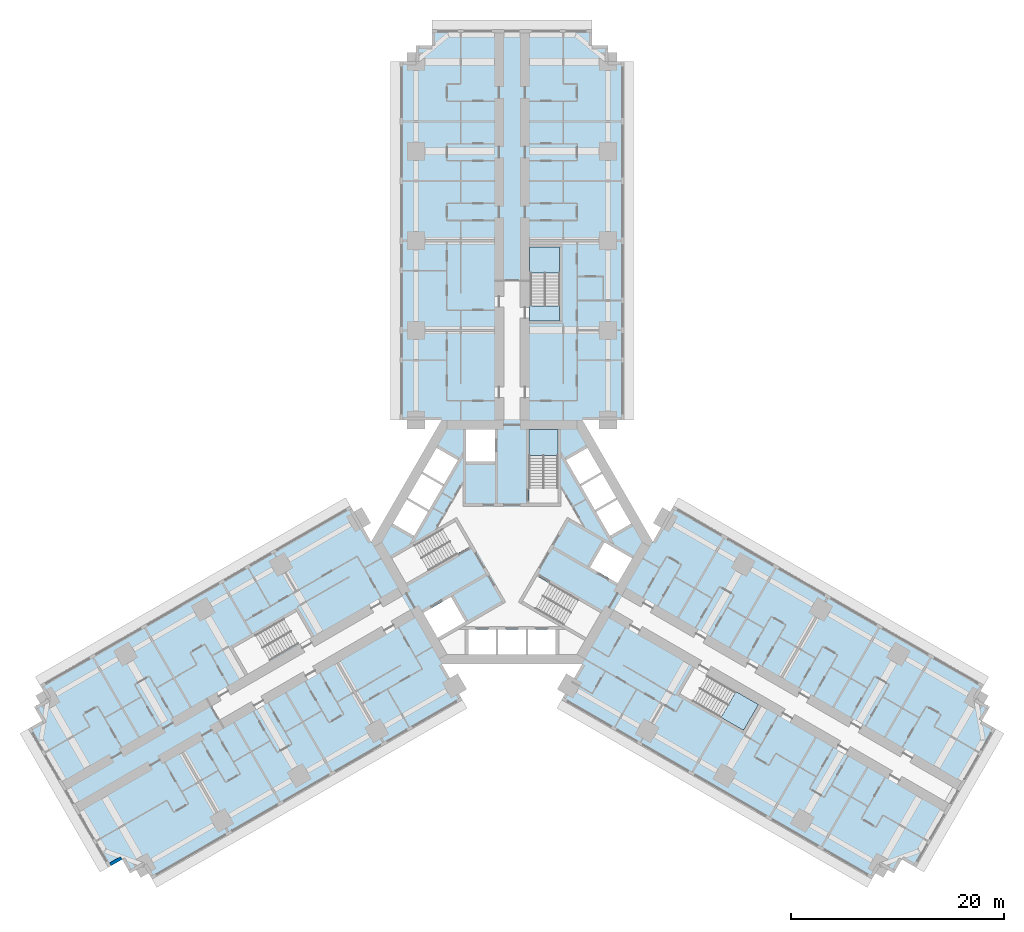
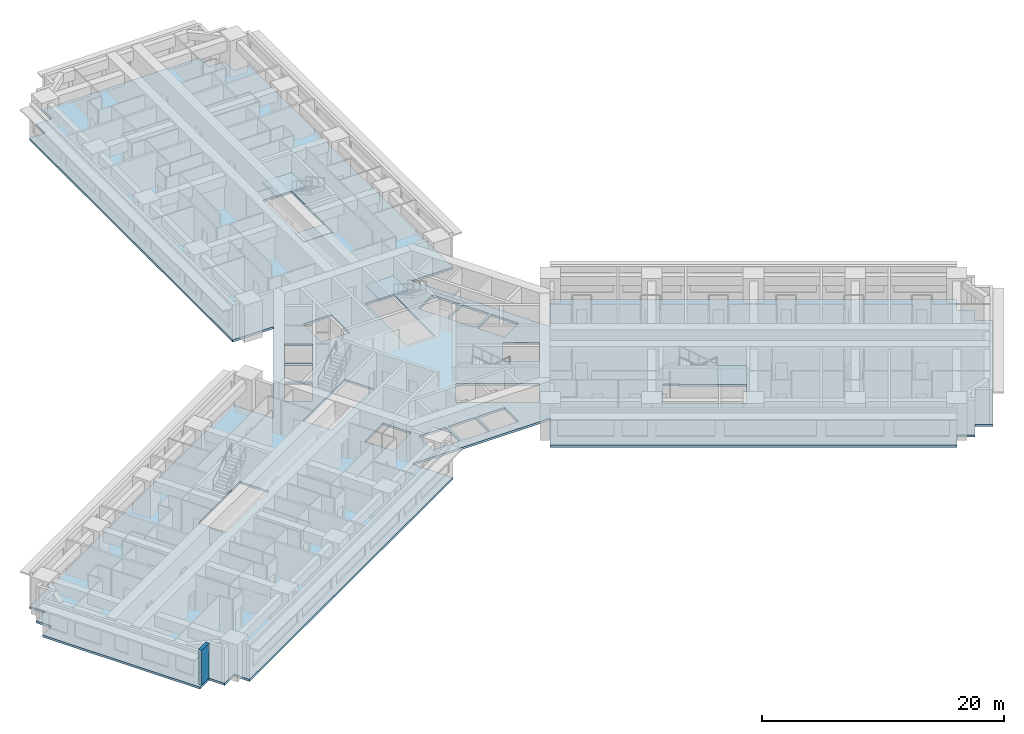
# One storey, part 2 of 16: 5 slabs, 1 wall, 3 elements without a shape of their own.
"""IFC4 building model written with IfcOpenShell, lengths in metres."""

from ifc_helpers import new_model, si_unit, direction, frame, frame_2d, origin, place, context, subcontext, project, spatial, polyline, rectangle, outline, extrude, material, layer, layer_set, type_object, element, aggregate, save


model = new_model("IFC4")

# Units and contexts
model_context = context("Model", 3, precision=1e-05, world=origin(), true_north=direction((0.0, 1.0)))
body_context = subcontext(model_context, "Body", "Model", "MODEL_VIEW")
ifc_project = project(units=[si_unit("LENGTHUNIT", "METRE"), si_unit("AREAUNIT", "SQUARE_METRE"), si_unit("VOLUMEUNIT", "CUBIC_METRE"), si_unit("PLANEANGLEUNIT", "RADIAN"), si_unit("MASSUNIT", "GRAM", prefix="KILO")], contexts=[model_context])

# Site, building, storey
site_placement = place(None, origin())
site = spatial("IfcSite", under=ifc_project, at=site_placement, CompositionType="ELEMENT")
building_placement = place(site_placement, origin())
building = spatial("IfcBuilding", under=site, at=building_placement, Name="Impinga Residences", CompositionType="ELEMENT")
storey_placement = place(building_placement, frame((0.0, 0.0, 41.0)))
storey = spatial("IfcBuildingStorey", under=building, at=storey_placement, Name="L09", CompositionType="ELEMENT", Elevation=41.0)

# Slab
ifc_material_1 = material(Name="Concrete C60/75", Category="concrete")
ifc_layer_1 = layer(ifc_material_1, 0.219970703125)
ifc_layer_set_1 = layer_set([ifc_layer_1], Name="Concrete C60/75")
slab_type_1 = type_object("IfcSlabType", Name="FS1 tower floor slab 220", PredefinedType="FLOOR", material=ifc_layer_set_1)
slab_1_placement = place(storey_placement, frame((0.0, 0.0, -0.219970703125)))
element("IfcSlab", 1, at=slab_1_placement, inside=storey, type_object=slab_type_1, Name="Floor slab FS1 L09", PredefinedType="FLOOR", context=body_context, shape_type="SweptSolid", body=[
    extrude(outline(polyline([(-34.49853515625, -30.31005859375), (-35.797607421875, -31.06005859375), (-36.547607421875, -29.760986328125), (-37.846435546875, -30.510986328125), (-45.346435546875, -17.5205078125), (-44.047607421875, -16.7705078125), (-44.797607421875, -15.471435546875), (-43.49853515625, -14.721435546875), (-44.24853515625, -13.422607421875), (-15.14990234375, 3.37744140625), (-13.199951171875, 0.0), (-6.60009765625, 11.431640625), (-10.5, 11.431640625), (-10.5, 45.031494140625), (-9.0, 45.031494140625), (-9.0, 46.531494140625), (-7.5, 46.531494140625), (-7.5, 48.031494140625), (7.5, 48.031494140625), (7.5, 46.531494140625), (9.0, 46.531494140625), (9.0, 45.031494140625), (10.5, 45.031494140625), (10.5, 11.431640625), (6.60009765625, 11.431640625), (13.199951171875, 0.0), (15.14990234375, 3.37744140625), (44.24853515625, -13.422607421875), (43.49853515625, -14.721435546875), (44.797607421875, -15.471435546875), (44.047607421875, -16.7705078125), (45.346435546875, -17.5205078125), (37.846435546875, -30.510986328125), (36.547607421875, -29.760986328125), (35.797607421875, -31.06005859375), (34.49853515625, -30.31005859375), (33.74853515625, -31.609130859375), (4.64990234375, -14.80908203125), (9.900146484375, -5.7158203125), (6.60009765625, -11.431640625), (-6.60009765625, -11.431640625), (-9.900146484375, -5.7158203125), (-4.64990234375, -14.80908203125), (-33.74853515625, -31.609130859375), (-34.49853515625, -30.31005859375)]), holes=[polyline([(-21.391357421875, -7.2119140625), (-26.154541015625, -9.9619140625), (-24.8046875, -12.30029296875), (-20.04150390625, -9.55029296875), (-19.991455078125, -9.63671875), (-18.779052734375, -8.936767578125), (-18.8291015625, -8.850341796875), (-18.8291015625, -8.850341796875), (-20.178955078125, -6.511962890625), (-21.391357421875, -7.2119140625), (-21.391357421875, -7.2119140625)]), polyline([(-1.5, -8.2314453125), (-4.10009765625, -8.2314453125), (-4.10009765625, -10.531494140625), (-1.5, -10.531494140625), (-1.5, -8.2314453125)]), polyline([(1.300048828125, -8.2314453125), (-1.300048828125, -8.2314453125), (-1.300048828125, -10.531494140625), (1.300048828125, -10.531494140625), (1.300048828125, -8.2314453125)]), polyline([(1.5, -8.2314453125), (1.5, -10.531494140625), (4.10009765625, -10.531494140625), (4.10009765625, -8.2314453125), (1.5, -8.2314453125)]), polyline([(-5.72119140625, -5.150634765625), (-8.320556640625, -6.6513671875), (-6.970458984375, -8.98974609375), (-4.37109375, -7.489013671875), (-5.72119140625, -5.150634765625)]), polyline([(-3.943603515625, -0.429443359375), (-5.293701171875, 1.908935546875), (-11.2705078125, -1.541748046875), (-9.920654296875, -3.880126953125), (-3.943603515625, -0.429443359375)]), polyline([(-9.1787109375, 0.56494140625), (-7.878662109375, 2.816650390625), (-9.87060546875, 3.966796875), (-11.170654296875, 1.715087890625), (-9.1787109375, 0.56494140625)]), polyline([(-6.478759765625, 5.24169921875), (-8.470458984375, 6.3916015625), (-9.7705078125, 4.139892578125), (-7.77880859375, 2.989990234375), (-6.478759765625, 5.24169921875)]), polyline([(-6.378662109375, 5.414794921875), (-5.07861328125, 7.66650390625), (-7.070556640625, 8.81640625), (-8.37060546875, 6.564697265625), (-6.378662109375, 5.414794921875)]), polyline([(-4.300048828125, 7.530029296875), (-1.60009765625, 7.530029296875), (-1.60009765625, 10.531494140625), (-4.300048828125, 10.531494140625), (-4.300048828125, 7.530029296875)]), polyline([(15.72900390625, -14.219482421875), (21.70458984375, -17.669677734375), (23.0546875, -15.331298828125), (18.29150390625, -12.581298828125), (18.341552734375, -12.49462890625), (17.129150390625, -11.794677734375), (15.72900390625, -14.219482421875)]), polyline([(0.99365234375, -5.538818359375), (6.970458984375, -8.98974609375), (8.320556640625, -6.6513671875), (2.34375, -3.20068359375), (0.99365234375, -5.538818359375)]), polyline([(8.671142578125, -0.041015625), (7.3212890625, -2.37939453125), (9.920654296875, -3.880126953125), (11.2705078125, -1.541748046875), (8.671142578125, -0.041015625)]), polyline([(7.878662109375, 2.816650390625), (9.1787109375, 0.56494140625), (11.170654296875, 1.715087890625), (9.87060546875, 3.966796875), (7.878662109375, 2.816650390625)]), polyline([(7.77880859375, 2.989990234375), (9.7705078125, 4.139892578125), (8.470458984375, 6.3916015625), (6.478759765625, 5.24169921875), (7.77880859375, 2.989990234375)]), polyline([(1.60009765625, 3.6298828125), (4.300048828125, 3.6298828125), (4.300048828125, 10.531494140625), (1.60009765625, 10.531494140625), (1.60009765625, 3.6298828125)]), polyline([(5.07861328125, 7.66650390625), (6.378662109375, 5.414794921875), (8.37060546875, 6.564697265625), (7.070556640625, 8.81640625), (5.07861328125, 7.66650390625)]), polyline([(1.75, 22.131591796875), (1.64990234375, 22.131591796875), (1.64990234375, 20.7314453125), (1.75, 20.7314453125), (4.449951171875, 20.7314453125), (4.449951171875, 22.131591796875), (4.449951171875, 27.631591796875), (1.75, 27.631591796875), (1.75, 22.131591796875)])]), origin(), (0.0, 0.0, 1.0), 0.219970703125),
])

# Stair, slab
ifc_material_2 = material(Name="Concrete C40/50", Category="concrete")
stair_type_1 = type_object("IfcStairType", Name="STR core stair 3750 storey, 24 risers", PredefinedType="HALF_TURN_STAIR", material=ifc_material_2)
stair_1_placement = place(storey_placement, origin())
stair_1 = element("IfcStair", 2, at=stair_1_placement, inside=storey, type_object=stair_type_1, Name="Stair ST1 L09", PredefinedType="HALF_TURN_STAIR")
ifc_layer_2 = layer(ifc_material_2, 0.199951171875)
ifc_layer_set_2 = layer_set([ifc_layer_2], Name="Concrete C40/50")
slab_type_2 = type_object("IfcSlabType", Name="LS1 stair landing 200", PredefinedType="LANDING", material=ifc_layer_set_2)
slab_2_placement = place(storey_placement, frame((0.0, 0.0, 1.675048828125)))
slab_2 = element("IfcSlab", 3, at=slab_2_placement, type_object=slab_type_2, Name="ST1 landing 2", PredefinedType="LANDING", context=body_context, shape_type="SweptSolid", body=[
    extrude(outline(polyline([(1.60009765625, 8.10009765625), (4.300048828125, 8.10009765625), (4.300048828125, 10.531494140625), (1.60009765625, 10.531494140625), (1.60009765625, 8.10009765625)])), origin(), (0.0, 0.0, 1.0), 0.199951171875),
])
aggregate(stair_1, [slab_2])

# Stair, slabs
stair_type_2 = type_object("IfcStairType", Name="STR wing stair 3750 storey, 24 risers", PredefinedType="HALF_TURN_STAIR", material=ifc_material_2)
stair_2_placement = place(storey_placement, origin())
stair_2 = element("IfcStair", 4, at=stair_2_placement, inside=storey, type_object=stair_type_2, Name="Stair WS1 L09", PredefinedType="HALF_TURN_STAIR")
slab_3_placement = place(storey_placement, frame((0.0, 0.0, -0.199951171875)))
slab_3 = element("IfcSlab", 5, at=slab_3_placement, type_object=slab_type_2, Name="WS1 landing 1", PredefinedType="LANDING", context=body_context, shape_type="SweptSolid", body=[
    extrude(outline(polyline([(1.64990234375, 20.7314453125), (4.449951171875, 20.7314453125), (4.449951171875, 22.1416015625), (1.64990234375, 22.1416015625), (1.64990234375, 20.7314453125)])), origin(), (0.0, 0.0, 1.0), 0.199951171875),
])
slab_4_placement = place(storey_placement, frame((0.0, 0.0, 1.675048828125)))
slab_4 = element("IfcSlab", 6, at=slab_4_placement, type_object=slab_type_2, Name="WS1 landing 2", PredefinedType="LANDING", context=body_context, shape_type="SweptSolid", body=[
    extrude(outline(polyline([(1.64990234375, 25.201416015625), (4.449951171875, 25.201416015625), (4.449951171875, 27.631591796875), (1.64990234375, 27.631591796875), (1.64990234375, 25.201416015625)])), origin(), (0.0, 0.0, 1.0), 0.199951171875),
])
aggregate(stair_2, [slab_3, slab_4])

# Stair, slab
stair_3_placement = place(storey_placement, origin())
stair_3 = element("IfcStair", 7, at=stair_3_placement, inside=storey, type_object=stair_type_2, Name="Stair WS3 L09", PredefinedType="HALF_TURN_STAIR")
slab_5_placement = place(storey_placement, frame((0.0, 0.0, 1.675048828125)))
slab_5 = element("IfcSlab", 8, at=slab_5_placement, type_object=slab_type_2, Name="WS3 landing 2", PredefinedType="LANDING", context=body_context, shape_type="SweptSolid", body=[
    extrude(outline(polyline([(21.000244140625, -14.02978515625), (19.60009765625, -16.45458984375), (21.70458984375, -17.669677734375), (23.1044921875, -15.24462890625), (21.000244140625, -14.02978515625)])), origin(), (0.0, 0.0, 1.0), 0.199951171875),
])
aggregate(stair_3, [slab_5])

# Wall
ifc_material_3 = material(Name="Terracotta rainscreen on blockwork", Category="masonry")
ifc_layer_3 = layer(ifc_material_3, 0.300048828125)
ifc_layer_set_3 = layer_set([ifc_layer_3], Name="EW1 external wall, terracotta rainscreen on blockwork 300")
wall_type = type_object("IfcWallType", Name="EW1 external wall, terracotta rainscreen on blockwork 300", PredefinedType="SOLIDWALL", material=ifc_layer_set_3)
wall_placement = place(storey_placement, frame((-36.626708984375, -29.633544921875, 0.0), z_axis=(0.0, 0.0, 1.0), x_axis=(-0.866059708757, -0.499940577336, 0.0)))
element("IfcWall", 9, at=wall_placement, inside=storey, type_object=wall_type, Name="External wall EW1 L09", PredefinedType="SOLIDWALL", context=body_context, shape_type="SweptSolid", body=[
    extrude(rectangle(XDim=1.195068359375, YDim=0.300048828125, at=frame_2d((0.59765625, 0.0))), origin(), (0.0, 0.0, 1.0), 3.530029296875),
])

save(model, "model.ifc")
